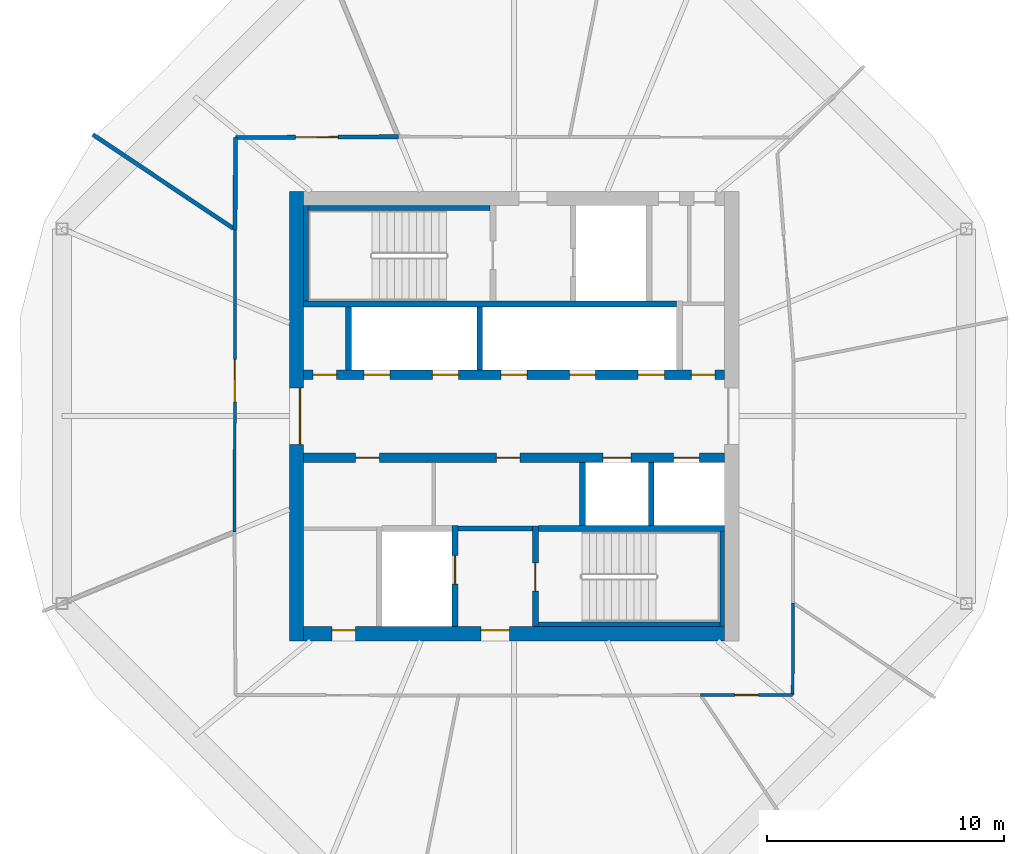
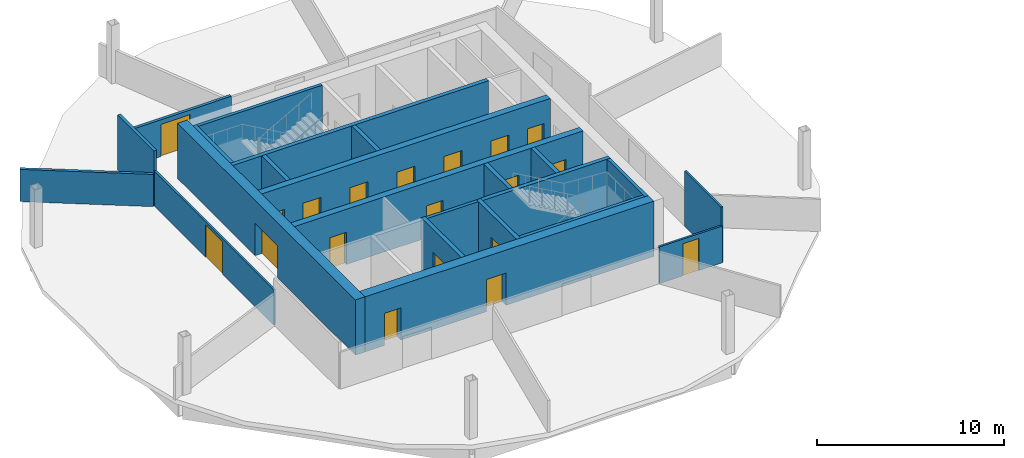
# One storey, part 5 of 10: 23 walls, 19 doors, 19 openings.
"""IFC4 building model written with IfcOpenShell, lengths in metres."""

from ifc_helpers import new_model, si_unit, direction, frame, frame_2d, origin, place, context, subcontext, project, spatial, rectangle, extrude, material, layer, layer_set, type_object, element, fill, save


model = new_model("IFC4")

# Units and contexts
model_context = context("Model", 3, precision=1e-05, world=origin(), true_north=direction((0.0, 1.0)))
body_context = subcontext(model_context, "Body", "Model", "MODEL_VIEW")
ifc_project = project(units=[si_unit("LENGTHUNIT", "METRE"), si_unit("AREAUNIT", "SQUARE_METRE"), si_unit("VOLUMEUNIT", "CUBIC_METRE"), si_unit("PLANEANGLEUNIT", "RADIAN"), si_unit("MASSUNIT", "GRAM", prefix="KILO")], contexts=[model_context])

# Site, building, storey
site_placement = place(None, origin())
site = spatial("IfcSite", under=ifc_project, at=site_placement, CompositionType="ELEMENT")
building_placement = place(site_placement, origin())
building = spatial("IfcBuilding", under=site, at=building_placement, Name="Ogive Gate Towers", CompositionType="ELEMENT")
storey_placement = place(building_placement, frame((0.0, 0.0, 212.39990234375)))
storey = spatial("IfcBuildingStorey", under=building, at=storey_placement, Name="L51", CompositionType="ELEMENT", Elevation=212.39990234375)

# Wall
ifc_material_1 = material(Name="Gypsum board acoustic partition")
ifc_layer_1 = layer(ifc_material_1, 0.175048828125)
ifc_layer_set_1 = layer_set([ifc_layer_1], Name="Acoustic partition 175")
wall_type_1 = type_object("IfcWallType", Name="Acoustic partition 175", PredefinedType="PARTITIONING", material=ifc_layer_set_1)
wall_1_placement = place(storey_placement, frame((-53.81103515625, 11.9111328125, 0.0), z_axis=(0.0, 0.0, 1.0), x_axis=(0.831240288345, -0.555913287332, 0.0)))
element("IfcWall", 1, at=wall_1_placement, inside=storey, type_object=wall_type_1, Name="Partition T1-L51-005", PredefinedType="PARTITIONING", context=body_context, shape_type="SweptSolid", body=[
    extrude(rectangle(XDim=7.14892578125, YDim=0.175048828125, at=frame_2d((3.574462890625, 0.0))), origin(), (0.0, 0.0, 1.0), 2.10009765625),
])

# Wall, opening, door
wall_2_placement = place(storey_placement, frame((-40.89501953125, 11.8173828125, 0.0), z_axis=(0.0, 0.0, 1.0), x_axis=(-0.99998528317, -0.005425259683, 0.0)))
wall_2 = element("IfcWall", 2, at=wall_2_placement, inside=storey, type_object=wall_type_1, Name="Partition T1-L51-014", PredefinedType="PARTITIONING", context=body_context, shape_type="SweptSolid", body=[
    extrude(rectangle(XDim=6.885009765625, YDim=0.175048828125, at=frame_2d((3.4423828125, 0.0))), origin(), (0.0, 0.0, 1.0), 2.400146484375),
])
opening_1_placement = place(wall_2_placement, frame((2.54296875, 0.0, 0.0)))
opening_1 = element("IfcOpeningElement", 3, at=opening_1_placement, cuts=wall_2, Name="Opening T1-L51-D05", PredefinedType="OPENING", context=body_context, shape_type="SweptSolid", body=[
    extrude(rectangle(XDim=1.800048828125, YDim=2.10009765625, at=frame_2d((0.89990234375, 1.050048828125))), frame((0.0, 0.09765625, 0.0), z_axis=(0.0, -1.0, 0.0), x_axis=(1.0, 0.0, 0.0)), (0.0, 0.0, 1.0), 0.195068359375),
])
ifc_material_2 = material(Name="Timber door", Category="wood")
door_type_1 = type_object("IfcDoorType", Name="Door pair 1800", OperationType="NOTDEFINED", PredefinedType="DOOR", material=ifc_material_2)
door_1_placement = place(opening_1_placement, origin())
door_1 = element("IfcDoor", 4, at=door_1_placement, inside=storey, type_object=door_type_1, Name="Door T1-L51-D05", OperationType="DOUBLE_DOOR_DOUBLE_SWING", OverallHeight=2.10009765625, OverallWidth=1.800048828125, PredefinedType="DOOR", context=body_context, shape_type="SweptSolid", body=[
    extrude(rectangle(XDim=1.800048828125, YDim=2.10009765625, at=frame_2d((0.89990234375, 1.050048828125))), frame((0.0, 0.02490234375, 0.0), z_axis=(0.0, -1.0, 0.0), x_axis=(1.0, 0.0, 0.0)), (0.0, 0.0, 1.0), 0.050048828125),
])
fill(opening_1, door_1)

# Walls
wall_3_placement = place(storey_placement, frame((-47.780029296875, 11.780029296875, 0.0), z_axis=(0.0, 0.0, 1.0), x_axis=(-0.004077757816, -0.999991685911, 0.0)))
element("IfcWall", 5, at=wall_3_placement, inside=storey, type_object=wall_type_1, Name="Partition T1-L51-015", PredefinedType="PARTITIONING", context=body_context, shape_type="SweptSolid", body=[
    extrude(rectangle(XDim=3.8916015625, YDim=0.175048828125, at=frame_2d((1.94580078125, 0.0))), origin(), (0.0, 0.0, 1.0), 3.60009765625),
])
ifc_material_3 = material(Name="Masonry blockwork", Category="masonry")
ifc_layer_2 = layer(ifc_material_3, 0.199951171875)
ifc_layer_set_2 = layer_set([ifc_layer_2], Name="Blockwork wall 200 mm")
wall_type_2 = type_object("IfcWallType", Name="Blockwork wall 200 mm", PredefinedType="PARTITIONING", material=ifc_layer_set_2)
wall_4_placement = place(storey_placement, frame((-38.375, -4.75, 0.0), z_axis=(0.0, 0.0, 1.0), x_axis=(1.0, 0.0, 0.0)))
element("IfcWall", 6, at=wall_4_placement, inside=storey, type_object=wall_type_2, Name="T1 L51 Blockwork wall 200 mm", PredefinedType="PARTITIONING", context=body_context, shape_type="SweptSolid", body=[
    extrude(rectangle(XDim=3.14990234375, YDim=0.199951171875, at=frame_2d((1.574951171875, 0.0))), origin(), (0.0, 0.0, 1.0), 3.60009765625),
])

# Wall, openings, doors
ifc_material_4 = material(Name="Concrete C60/75", Category="concrete")
ifc_layer_3 = layer(ifc_material_4, 0.60009765625)
ifc_layer_set_3 = layer_set([ifc_layer_3], Name="Core wall 600 mm")
wall_type_3 = type_object("IfcWallType", Name="Core wall 600 mm", PredefinedType="SHEAR", material=ifc_layer_set_3)
wall_5_placement = place(storey_placement, frame((-44.89990234375, -9.199951171875, 0.0), z_axis=(0.0, 0.0, 1.0), x_axis=(1.0, 0.0, 0.0)))
wall_5 = element("IfcWall", 7, at=wall_5_placement, inside=storey, type_object=wall_type_3, Name="T1 L51 Core wall 600 mm", PredefinedType="SHEAR", context=body_context, shape_type="SweptSolid", body=[
    extrude(rectangle(XDim=17.7998046875, YDim=0.60009765625, at=frame_2d((8.89990234375, 0.0))), origin(), (0.0, 0.0, 1.0), 3.60009765625),
])
opening_2_placement = place(wall_5_placement, frame((7.5, 0.0, 0.0)))
opening_2 = element("IfcOpeningElement", 8, at=opening_2_placement, cuts=wall_5, Name="Opening KD-T1-L51-19", PredefinedType="OPENING", context=body_context, shape_type="SweptSolid", body=[
    extrude(rectangle(XDim=1.199951171875, YDim=2.10009765625, at=frame_2d((0.60009765625, 1.050048828125))), frame((0.0, 0.31005859375, 0.0), z_axis=(0.0, -1.0, 0.0), x_axis=(1.0, 0.0, 0.0)), (0.0, 0.0, 1.0), 0.6201171875),
])
opening_3_placement = place(wall_5_placement, frame((1.199951171875, 0.0, 0.0)))
opening_3 = element("IfcOpeningElement", 9, at=opening_3_placement, cuts=wall_5, Name="Opening KD-T1-L51-22", PredefinedType="OPENING", context=body_context, shape_type="SweptSolid", body=[
    extrude(rectangle(XDim=1.0, YDim=2.10009765625, at=frame_2d((0.5, 1.050048828125))), frame((0.0, 0.31005859375, 0.0), z_axis=(0.0, -1.0, 0.0), x_axis=(1.0, 0.0, 0.0)), (0.0, 0.0, 1.0), 0.6201171875),
])
door_type_2 = type_object("IfcDoorType", Name="Accessible WC door 1000 x 2100", OperationType="NOTDEFINED", PredefinedType="DOOR", material=ifc_material_2)
door_2_placement = place(opening_3_placement, origin())
door_2 = element("IfcDoor", 10, at=door_2_placement, inside=storey, type_object=door_type_2, Name="T1 L51 Core door", OperationType="SINGLE_SWING_LEFT", OverallHeight=2.10009765625, OverallWidth=1.0, PredefinedType="DOOR", context=body_context, shape_type="SweptSolid", body=[
    extrude(rectangle(XDim=1.0, YDim=2.10009765625, at=frame_2d((0.5, 1.050048828125))), frame((0.0, 0.1748046875, 0.0), z_axis=(0.0, -1.0, 0.0), x_axis=(1.0, 0.0, 0.0)), (0.0, 0.0, 1.0), 0.050048828125),
])
fill(opening_3, door_2)
ifc_material_5 = material(Name="Steel fire door", Category="steel")
door_type_3 = type_object("IfcDoorType", Name="Core door FD60S 1200 x 2100", OperationType="NOTDEFINED", PredefinedType="DOOR", material=ifc_material_5)
door_3_placement = place(opening_2_placement, origin())
door_3 = element("IfcDoor", 11, at=door_3_placement, inside=storey, type_object=door_type_3, Name="T1 L51 Fire-fighting lobby door", OperationType="SINGLE_SWING_RIGHT", OverallHeight=2.10009765625, OverallWidth=1.199951171875, PredefinedType="DOOR", context=body_context, shape_type="SweptSolid", body=[
    extrude(rectangle(XDim=1.199951171875, YDim=2.10009765625, at=frame_2d((0.60009765625, 1.050048828125))), frame((0.0, 0.1748046875, 0.0), z_axis=(0.0, -1.0, 0.0), x_axis=(1.0, 0.0, 0.0)), (0.0, 0.0, 1.0), 0.050048828125),
])
fill(opening_2, door_3)

# Wall, opening, door
wall_6_placement = place(storey_placement, frame((-45.199951171875, -9.5, 0.0), z_axis=(0.0, 0.0, 1.0), x_axis=(0.0, 1.0, 0.0)))
wall_6 = element("IfcWall", 12, at=wall_6_placement, inside=storey, type_object=wall_type_3, Name="T1 L51 Core wall 600 mm", PredefinedType="SHEAR", context=body_context, shape_type="SweptSolid", body=[
    extrude(rectangle(XDim=19.0, YDim=0.60009765625, at=frame_2d((9.5, 0.0))), origin(), (0.0, 0.0, 1.0), 3.60009765625),
])
opening_4_placement = place(wall_6_placement, frame((8.300048828125, 0.0, 0.0)))
opening_4 = element("IfcOpeningElement", 13, at=opening_4_placement, cuts=wall_6, Name="Opening KD-T1-L51-01", PredefinedType="OPENING", context=body_context, shape_type="SweptSolid", body=[
    extrude(rectangle(XDim=2.39990234375, YDim=2.10009765625, at=frame_2d((1.199951171875, 1.050048828125))), frame((0.0, 0.31005859375, 0.0), z_axis=(0.0, -1.0, 0.0), x_axis=(1.0, 0.0, 0.0)), (0.0, 0.0, 1.0), 0.6201171875),
])
door_type_4 = type_object("IfcDoorType", Name="Core double door FD60S 2400 x 2100", OperationType="DOUBLE_DOOR_SINGLE_SWING", PredefinedType="DOOR", material=ifc_material_5)
door_4_placement = place(opening_4_placement, origin())
door_4 = element("IfcDoor", 14, at=door_4_placement, inside=storey, type_object=door_type_4, Name="T1 L51 Core door double", OperationType="DOUBLE_DOOR_SINGLE_SWING", OverallHeight=2.10009765625, OverallWidth=2.39990234375, PredefinedType="DOOR", context=body_context, shape_type="SweptSolid", body=[
    extrude(rectangle(XDim=2.39990234375, YDim=2.10009765625, at=frame_2d((1.199951171875, 1.050048828125))), frame((0.0, -0.125, 0.0), z_axis=(0.0, -1.0, 0.0), x_axis=(1.0, 0.0, 0.0)), (0.0, 0.0, 1.0), 0.050048828125),
])
fill(opening_4, door_4)

ifc_material_6 = material(Name="Gypsum board partition")
ifc_layer_4 = layer(ifc_material_6, 0.125)
ifc_layer_set_4 = layer_set([ifc_layer_4], Name="Partition 125")
wall_type_4 = type_object("IfcWallType", Name="Partition 125", PredefinedType="PARTITIONING", material=ifc_layer_set_4)
wall_7_placement = place(storey_placement, frame((-47.7958984375, 7.888427734375, 0.0), z_axis=(0.0, 0.0, 1.0), x_axis=(-0.001680637798, -0.999998587727, 0.0)))
wall_7 = element("IfcWall", 15, at=wall_7_placement, inside=storey, type_object=wall_type_4, Name="Partition T1-L51-016", PredefinedType="PARTITIONING", context=body_context, shape_type="SweptSolid", body=[
    extrude(rectangle(XDim=12.783447265625, YDim=0.125, at=frame_2d((6.3916015625, 0.0))), origin(), (0.0, 0.0, 1.0), 2.300048828125),
])
opening_5_placement = place(wall_7_placement, frame((5.491943359375, 0.0, 0.0)))
opening_5 = element("IfcOpeningElement", 16, at=opening_5_placement, cuts=wall_7, Name="Opening T1-L51-D06", PredefinedType="OPENING", context=body_context, shape_type="SweptSolid", body=[
    extrude(rectangle(XDim=1.800048828125, YDim=2.10009765625, at=frame_2d((0.89990234375, 1.050048828125))), frame((0.0, 0.072509765625, 0.0), z_axis=(0.0, -1.0, 0.0), x_axis=(1.0, 0.0, 0.0)), (0.0, 0.0, 1.0), 0.14501953125),
])
door_5_placement = place(opening_5_placement, origin())
door_5 = element("IfcDoor", 17, at=door_5_placement, inside=storey, type_object=door_type_1, Name="Door T1-L51-D06", OperationType="DOUBLE_DOOR_DOUBLE_SWING", OverallHeight=2.10009765625, OverallWidth=1.800048828125, PredefinedType="DOOR", context=body_context, shape_type="SweptSolid", body=[
    extrude(rectangle(XDim=1.800048828125, YDim=2.10009765625, at=frame_2d((0.89990234375, 1.050048828125))), frame((0.0, 0.02490234375, 0.0), z_axis=(0.0, -1.0, 0.0), x_axis=(1.0, 0.0, 0.0)), (0.0, 0.0, 1.0), 0.050048828125),
])
fill(opening_5, door_5)

wall_8_placement = place(storey_placement, frame((-28.111572265625, -11.7958984375, 0.0), z_axis=(0.0, 0.0, 1.0), x_axis=(0.999991685911, 0.004077757816, 0.0)))
wall_8 = element("IfcWall", 18, at=wall_8_placement, inside=storey, type_object=wall_type_4, Name="Partition T1-L51-020", PredefinedType="PARTITIONING", context=body_context, shape_type="SweptSolid", body=[
    extrude(rectangle(XDim=3.8916015625, YDim=0.125, at=frame_2d((1.94580078125, 0.0))), origin(), (0.0, 0.0, 1.0), 2.400146484375),
])
opening_6_placement = place(wall_8_placement, frame((1.446044921875, 0.0, 0.0)))
opening_6 = element("IfcOpeningElement", 19, at=opening_6_placement, cuts=wall_8, Name="Opening T1-L51-D09", PredefinedType="OPENING", context=body_context, shape_type="SweptSolid", body=[
    extrude(rectangle(XDim=1.0, YDim=2.10009765625, at=frame_2d((0.5, 1.050048828125))), frame((0.0, 0.072509765625, 0.0), z_axis=(0.0, -1.0, 0.0), x_axis=(1.0, 0.0, 0.0)), (0.0, 0.0, 1.0), 0.14501953125),
])
door_type_5 = type_object("IfcDoorType", Name="Door 1000", OperationType="NOTDEFINED", PredefinedType="DOOR", material=ifc_material_2)
door_6_placement = place(opening_6_placement, origin())
door_6 = element("IfcDoor", 20, at=door_6_placement, inside=storey, type_object=door_type_5, Name="Door T1-L51-D09", OperationType="SINGLE_SWING_LEFT", OverallHeight=2.10009765625, OverallWidth=1.0, PredefinedType="DOOR", context=body_context, shape_type="SweptSolid", body=[
    extrude(rectangle(XDim=1.0, YDim=2.10009765625, at=frame_2d((0.5, 1.050048828125))), frame((0.0, 0.02490234375, 0.0), z_axis=(0.0, -1.0, 0.0), x_axis=(1.0, 0.0, 0.0)), (0.0, 0.0, 1.0), 0.050048828125),
])
fill(opening_6, door_6)

# Walls
wall_9_placement = place(storey_placement, frame((-24.219970703125, -11.780029296875, 0.0), z_axis=(0.0, 0.0, 1.0), x_axis=(0.004077757816, 0.999991685911, 0.0)))
element("IfcWall", 21, at=wall_9_placement, inside=storey, type_object=wall_type_4, Name="Partition T1-L51-021", PredefinedType="PARTITIONING", context=body_context, shape_type="SweptSolid", body=[
    extrude(rectangle(XDim=3.8916015625, YDim=0.125, at=frame_2d((1.94580078125, 0.0))), origin(), (0.0, 0.0, 1.0), 3.60009765625),
])
ifc_layer_5 = layer(ifc_material_4, 0.25)
ifc_layer_set_5 = layer_set([ifc_layer_5], Name="Shaft wall 250 mm")
wall_type_5 = type_object("IfcWallType", Name="Shaft wall 250 mm", PredefinedType="SHEAR", material=ifc_layer_set_5)
wall_10_placement = place(storey_placement, frame((-34.97509765625, -4.75, 0.0), z_axis=(0.0, 0.0, 1.0), x_axis=(1.0, 0.0, 0.0)))
element("IfcWall", 22, at=wall_10_placement, inside=storey, type_object=wall_type_5, Name="T1 L51 Shaft wall 250 mm", PredefinedType="SHEAR", context=body_context, shape_type="SweptSolid", body=[
    extrude(rectangle(XDim=7.875, YDim=0.25, at=frame_2d((3.9375, 0.0))), origin(), (0.0, 0.0, 1.0), 3.60009765625),
])
wall_11_placement = place(storey_placement, frame((-44.89990234375, 4.75, 0.0), z_axis=(0.0, 0.0, 1.0), x_axis=(1.0, 0.0, 0.0)))
element("IfcWall", 23, at=wall_11_placement, inside=storey, type_object=wall_type_5, Name="T1 L51 Shaft wall 250 mm", PredefinedType="SHEAR", context=body_context, shape_type="SweptSolid", body=[
    extrude(rectangle(XDim=15.77490234375, YDim=0.25, at=frame_2d((7.887451171875, 0.0))), origin(), (0.0, 0.0, 1.0), 3.60009765625),
])
wall_12_placement = place(storey_placement, frame((-43.0, 1.949951171875, 0.0), z_axis=(0.0, 0.0, 1.0), x_axis=(0.0, 1.0, 0.0)))
element("IfcWall", 24, at=wall_12_placement, inside=storey, type_object=wall_type_5, Name="T1 L51 Shaft wall 250 mm", PredefinedType="SHEAR", context=body_context, shape_type="SweptSolid", body=[
    extrude(rectangle(XDim=2.675048828125, YDim=0.25, at=frame_2d((1.33740234375, 0.0))), origin(), (0.0, 0.0, 1.0), 3.60009765625),
])

# Wall, opening, door
wall_13_placement = place(storey_placement, frame((-38.5, -8.89990234375, 0.0), z_axis=(0.0, 0.0, 1.0), x_axis=(0.0, 1.0, 0.0)))
wall_13 = element("IfcWall", 25, at=wall_13_placement, inside=storey, type_object=wall_type_5, Name="T1 L51 Shaft wall 250 mm", PredefinedType="SHEAR", context=body_context, shape_type="SweptSolid", body=[
    extrude(rectangle(XDim=4.27490234375, YDim=0.25, at=frame_2d((2.137451171875, 0.0))), origin(), (0.0, 0.0, 1.0), 3.60009765625),
])
opening_7_placement = place(wall_13_placement, frame((1.800048828125, 0.0, 0.0)))
opening_7 = element("IfcOpeningElement", 26, at=opening_7_placement, cuts=wall_13, Name="Opening LD-T1-L51-13", PredefinedType="OPENING", context=body_context, shape_type="SweptSolid", body=[
    extrude(rectangle(XDim=1.199951171875, YDim=2.10009765625, at=frame_2d((0.60009765625, 1.050048828125))), frame((0.0, 0.135009765625, 0.0), z_axis=(0.0, -1.0, 0.0), x_axis=(1.0, 0.0, 0.0)), (0.0, 0.0, 1.0), 0.27001953125),
])
ifc_material_7 = material(Name="Stainless steel landing door", Category="steel")
door_type_6 = type_object("IfcDoorType", Name="Landing door 1200 x 2100", OperationType="SLIDING_TO_LEFT", PredefinedType="DOOR", material=ifc_material_7)
door_7_placement = place(opening_7_placement, origin())
door_7 = element("IfcDoor", 27, at=door_7_placement, inside=storey, type_object=door_type_6, Name="T1 L51 Lift landing door FF2", OperationType="SLIDING_TO_LEFT", OverallHeight=2.10009765625, OverallWidth=1.199951171875, PredefinedType="DOOR", context=body_context, shape_type="SweptSolid", body=[
    extrude(rectangle(XDim=1.199951171875, YDim=2.10009765625, at=frame_2d((0.60009765625, 1.050048828125))), frame((0.0, 0.02490234375, 0.0), z_axis=(0.0, -1.0, 0.0), x_axis=(1.0, 0.0, 0.0)), (0.0, 0.0, 1.0), 0.050048828125),
])
fill(opening_7, door_7)

# Wall
wall_14_placement = place(storey_placement, frame((-37.449951171875, 1.949951171875, 0.0), z_axis=(0.0, 0.0, 1.0), x_axis=(0.0, 1.0, 0.0)))
element("IfcWall", 28, at=wall_14_placement, inside=storey, type_object=wall_type_5, Name="T1 L51 Shaft wall 250 mm", PredefinedType="SHEAR", context=body_context, shape_type="SweptSolid", body=[
    extrude(rectangle(XDim=2.675048828125, YDim=0.25, at=frame_2d((1.33740234375, 0.0))), origin(), (0.0, 0.0, 1.0), 3.60009765625),
])

# Wall, opening, door
wall_15_placement = place(storey_placement, frame((-35.10009765625, -8.89990234375, 0.0), z_axis=(0.0, 0.0, 1.0), x_axis=(0.0, 1.0, 0.0)))
wall_15 = element("IfcWall", 29, at=wall_15_placement, inside=storey, type_object=wall_type_5, Name="T1 L51 Shaft wall 250 mm", PredefinedType="SHEAR", context=body_context, shape_type="SweptSolid", body=[
    extrude(rectangle(XDim=4.25, YDim=0.25, at=frame_2d((2.125, 0.0))), origin(), (0.0, 0.0, 1.0), 3.60009765625),
])
opening_8_placement = place(wall_15_placement, frame((1.5, 0.0, 0.0)))
opening_8 = element("IfcOpeningElement", 30, at=opening_8_placement, cuts=wall_15, Name="Opening KD-T1-L51-17", PredefinedType="OPENING", context=body_context, shape_type="SweptSolid", body=[
    extrude(rectangle(XDim=1.199951171875, YDim=2.10009765625, at=frame_2d((0.60009765625, 1.050048828125))), frame((0.0, 0.135009765625, 0.0), z_axis=(0.0, -1.0, 0.0), x_axis=(1.0, 0.0, 0.0)), (0.0, 0.0, 1.0), 0.27001953125),
])
door_8_placement = place(opening_8_placement, origin())
door_8 = element("IfcDoor", 31, at=door_8_placement, inside=storey, type_object=door_type_3, Name="T1 L51 Stair door", OperationType="SINGLE_SWING_RIGHT", OverallHeight=2.10009765625, OverallWidth=1.199951171875, PredefinedType="DOOR", context=body_context, shape_type="SweptSolid", body=[
    extrude(rectangle(XDim=1.199951171875, YDim=2.10009765625, at=frame_2d((0.60009765625, 1.050048828125))), frame((0.0, 0.02490234375, 0.0), z_axis=(0.0, -1.0, 0.0), x_axis=(1.0, 0.0, 0.0)), (0.0, 0.0, 1.0), 0.050048828125),
])
fill(opening_8, door_8)

# Walls
for number, where, z_axis, x_axis, name in (
    (32, (-33.10009765625, -4.625, 0.0), (0.0, 0.0, 1.0), (0.0, 1.0, 0.0), "T1 L51 Shaft wall 250 mm"),
    (33, (-30.199951171875, -4.625, 0.0), (0.0, 0.0, 1.0), (0.0, 1.0, 0.0), "T1 L51 Shaft wall 250 mm"),
):
    element("IfcWall", number, at=place(storey_placement, frame(where, z_axis=z_axis, x_axis=x_axis)), inside=storey, type_object=wall_type_5, Name=name, PredefinedType="SHEAR", context=body_context, shape_type="SweptSolid", body=[
        extrude(rectangle(XDim=2.675048828125, YDim=0.25, at=frame_2d((1.33740234375, 0.0))), origin(), (0.0, 0.0, 1.0), 3.60009765625),
    ])

# Wall, openings, doors
ifc_layer_6 = layer(ifc_material_4, 0.39990234375)
ifc_layer_set_6 = layer_set([ifc_layer_6], Name="Spine wall 400 mm")
wall_type_6 = type_object("IfcWallType", Name="Spine wall 400 mm", PredefinedType="SHEAR", material=ifc_layer_set_6)
wall_16_placement = place(storey_placement, frame((-44.89990234375, -1.75, 0.0), z_axis=(0.0, 0.0, 1.0), x_axis=(1.0, 0.0, 0.0)))
wall_16 = element("IfcWall", 34, at=wall_16_placement, inside=storey, type_object=wall_type_6, Name="T1 L51 Spine wall 400 mm", PredefinedType="SHEAR", context=body_context, shape_type="SweptSolid", body=[
    extrude(rectangle(XDim=17.7998046875, YDim=0.39990234375, at=frame_2d((8.89990234375, 0.0))), origin(), (0.0, 0.0, 1.0), 3.60009765625),
])
opening_9_placement = place(wall_16_placement, frame((12.64990234375, 0.0, 0.0)))
opening_9 = element("IfcOpeningElement", 35, at=opening_9_placement, cuts=wall_16, Name="Opening LD-T1-L51-10", PredefinedType="OPENING", context=body_context, shape_type="SweptSolid", body=[
    extrude(rectangle(XDim=1.199951171875, YDim=2.10009765625, at=frame_2d((0.60009765625, 1.050048828125))), frame((0.0, 0.2099609375, 0.0), z_axis=(0.0, -1.0, 0.0), x_axis=(1.0, 0.0, 0.0)), (0.0, 0.0, 1.0), 0.419921875),
])
opening_10_placement = place(wall_16_placement, frame((15.64990234375, 0.0, 0.0)))
opening_10 = element("IfcOpeningElement", 36, at=opening_10_placement, cuts=wall_16, Name="Opening LD-T1-L51-11", PredefinedType="OPENING", context=body_context, shape_type="SweptSolid", body=[
    extrude(rectangle(XDim=1.10009765625, YDim=2.10009765625, at=frame_2d((0.550048828125, 1.050048828125))), frame((0.0, 0.2099609375, 0.0), z_axis=(0.0, -1.0, 0.0), x_axis=(1.0, 0.0, 0.0)), (0.0, 0.0, 1.0), 0.419921875),
])
opening_11_placement = place(wall_16_placement, frame((2.199951171875, 0.0, 0.0)))
opening_11 = element("IfcOpeningElement", 37, at=opening_11_placement, cuts=wall_16, Name="Opening KD-T1-L51-14", PredefinedType="OPENING", context=body_context, shape_type="SweptSolid", body=[
    extrude(rectangle(XDim=1.0, YDim=2.10009765625, at=frame_2d((0.5, 1.050048828125))), frame((0.0, 0.2099609375, 0.0), z_axis=(0.0, -1.0, 0.0), x_axis=(1.0, 0.0, 0.0)), (0.0, 0.0, 1.0), 0.419921875),
])
opening_12_placement = place(wall_16_placement, frame((8.14990234375, 0.0, 0.0)))
opening_12 = element("IfcOpeningElement", 38, at=opening_12_placement, cuts=wall_16, Name="Opening KD-T1-L51-15", PredefinedType="OPENING", context=body_context, shape_type="SweptSolid", body=[
    extrude(rectangle(XDim=1.0, YDim=2.10009765625, at=frame_2d((0.5, 1.050048828125))), frame((0.0, 0.2099609375, 0.0), z_axis=(0.0, -1.0, 0.0), x_axis=(1.0, 0.0, 0.0)), (0.0, 0.0, 1.0), 0.419921875),
])
door_type_7 = type_object("IfcDoorType", Name="Core door FD60S 1000 x 2100", OperationType="NOTDEFINED", PredefinedType="DOOR", material=ifc_material_5)
door_9_placement = place(opening_11_placement, origin())
door_9 = element("IfcDoor", 39, at=door_9_placement, inside=storey, type_object=door_type_7, Name="T1 L51 Core door", OperationType="SINGLE_SWING_LEFT", OverallHeight=2.10009765625, OverallWidth=1.0, PredefinedType="DOOR", context=body_context, shape_type="SweptSolid", body=[
    extrude(rectangle(XDim=1.0, YDim=2.10009765625, at=frame_2d((0.5, 1.050048828125))), frame((0.0, 0.02490234375, 0.0), z_axis=(0.0, -1.0, 0.0), x_axis=(1.0, 0.0, 0.0)), (0.0, 0.0, 1.0), 0.050048828125),
])
fill(opening_11, door_9)
door_10_placement = place(opening_12_placement, origin())
door_10 = element("IfcDoor", 40, at=door_10_placement, inside=storey, type_object=door_type_7, Name="T1 L51 Core door", OperationType="SINGLE_SWING_RIGHT", OverallHeight=2.10009765625, OverallWidth=1.0, PredefinedType="DOOR", context=body_context, shape_type="SweptSolid", body=[
    extrude(rectangle(XDim=1.0, YDim=2.10009765625, at=frame_2d((0.5, 1.050048828125))), frame((0.0, 0.02490234375, 0.0), z_axis=(0.0, -1.0, 0.0), x_axis=(1.0, 0.0, 0.0)), (0.0, 0.0, 1.0), 0.050048828125),
])
fill(opening_12, door_10)
door_type_8 = type_object("IfcDoorType", Name="Landing door 1100 x 2100", OperationType="SLIDING_TO_LEFT", PredefinedType="DOOR", material=ifc_material_7)
door_11_placement = place(opening_10_placement, origin())
door_11 = element("IfcDoor", 41, at=door_11_placement, inside=storey, type_object=door_type_8, Name="T1 L51 Lift landing door B6", OperationType="SLIDING_TO_LEFT", OverallHeight=2.10009765625, OverallWidth=1.10009765625, PredefinedType="DOOR", context=body_context, shape_type="SweptSolid", body=[
    extrude(rectangle(XDim=1.10009765625, YDim=2.10009765625, at=frame_2d((0.550048828125, 1.050048828125))), frame((0.0, 0.02490234375, 0.0), z_axis=(0.0, -1.0, 0.0), x_axis=(1.0, 0.0, 0.0)), (0.0, 0.0, 1.0), 0.050048828125),
])
fill(opening_10, door_11)
door_12_placement = place(opening_9_placement, origin())
door_12 = element("IfcDoor", 42, at=door_12_placement, inside=storey, type_object=door_type_6, Name="T1 L51 Lift landing door SVC", OperationType="SLIDING_TO_LEFT", OverallHeight=2.10009765625, OverallWidth=1.199951171875, PredefinedType="DOOR", context=body_context, shape_type="SweptSolid", body=[
    extrude(rectangle(XDim=1.199951171875, YDim=2.10009765625, at=frame_2d((0.60009765625, 1.050048828125))), frame((0.0, 0.02490234375, 0.0), z_axis=(0.0, -1.0, 0.0), x_axis=(1.0, 0.0, 0.0)), (0.0, 0.0, 1.0), 0.050048828125),
])
fill(opening_9, door_12)

wall_17_placement = place(storey_placement, frame((-44.89990234375, 1.75, 0.0), z_axis=(0.0, 0.0, 1.0), x_axis=(1.0, 0.0, 0.0)))
wall_17 = element("IfcWall", 43, at=wall_17_placement, inside=storey, type_object=wall_type_6, Name="T1 L51 Spine wall 400 mm", PredefinedType="SHEAR", context=body_context, shape_type="SweptSolid", body=[
    extrude(rectangle(XDim=17.7998046875, YDim=0.39990234375, at=frame_2d((8.89990234375, 0.0))), origin(), (0.0, 0.0, 1.0), 3.60009765625),
])
opening_13_placement = place(wall_17_placement, frame((0.39990234375, 0.0, 0.0)))
opening_13 = element("IfcOpeningElement", 44, at=opening_13_placement, cuts=wall_17, Name="Opening KD-T1-L51-03", PredefinedType="OPENING", context=body_context, shape_type="SweptSolid", body=[
    extrude(rectangle(XDim=1.0, YDim=2.10009765625, at=frame_2d((0.5, 1.050048828125))), frame((0.0, 0.2099609375, 0.0), z_axis=(0.0, -1.0, 0.0), x_axis=(1.0, 0.0, 0.0)), (0.0, 0.0, 1.0), 0.419921875),
])
opening_14_placement = place(wall_17_placement, frame((2.550048828125, 0.0, 0.0)))
opening_14 = element("IfcOpeningElement", 45, at=opening_14_placement, cuts=wall_17, Name="Opening LD-T1-L51-04", PredefinedType="OPENING", context=body_context, shape_type="SweptSolid", body=[
    extrude(rectangle(XDim=1.10009765625, YDim=2.10009765625, at=frame_2d((0.550048828125, 1.050048828125))), frame((0.0, 0.2099609375, 0.0), z_axis=(0.0, -1.0, 0.0), x_axis=(1.0, 0.0, 0.0)), (0.0, 0.0, 1.0), 0.419921875),
])
opening_15_placement = place(wall_17_placement, frame((5.449951171875, 0.0, 0.0)))
opening_15 = element("IfcOpeningElement", 46, at=opening_15_placement, cuts=wall_17, Name="Opening LD-T1-L51-05", PredefinedType="OPENING", context=body_context, shape_type="SweptSolid", body=[
    extrude(rectangle(XDim=1.10009765625, YDim=2.10009765625, at=frame_2d((0.550048828125, 1.050048828125))), frame((0.0, 0.2099609375, 0.0), z_axis=(0.0, -1.0, 0.0), x_axis=(1.0, 0.0, 0.0)), (0.0, 0.0, 1.0), 0.419921875),
])
opening_16_placement = place(wall_17_placement, frame((8.35009765625, 0.0, 0.0)))
opening_16 = element("IfcOpeningElement", 47, at=opening_16_placement, cuts=wall_17, Name="Opening LD-T1-L51-06", PredefinedType="OPENING", context=body_context, shape_type="SweptSolid", body=[
    extrude(rectangle(XDim=1.10009765625, YDim=2.10009765625, at=frame_2d((0.550048828125, 1.050048828125))), frame((0.0, 0.2099609375, 0.0), z_axis=(0.0, -1.0, 0.0), x_axis=(1.0, 0.0, 0.0)), (0.0, 0.0, 1.0), 0.419921875),
])
opening_17_placement = place(wall_17_placement, frame((11.25, 0.0, 0.0)))
opening_17 = element("IfcOpeningElement", 48, at=opening_17_placement, cuts=wall_17, Name="Opening LD-T1-L51-07", PredefinedType="OPENING", context=body_context, shape_type="SweptSolid", body=[
    extrude(rectangle(XDim=1.10009765625, YDim=2.10009765625, at=frame_2d((0.550048828125, 1.050048828125))), frame((0.0, 0.2099609375, 0.0), z_axis=(0.0, -1.0, 0.0), x_axis=(1.0, 0.0, 0.0)), (0.0, 0.0, 1.0), 0.419921875),
])
opening_18_placement = place(wall_17_placement, frame((14.14990234375, 0.0, 0.0)))
opening_18 = element("IfcOpeningElement", 49, at=opening_18_placement, cuts=wall_17, Name="Opening LD-T1-L51-08", PredefinedType="OPENING", context=body_context, shape_type="SweptSolid", body=[
    extrude(rectangle(XDim=1.10009765625, YDim=2.10009765625, at=frame_2d((0.550048828125, 1.050048828125))), frame((0.0, 0.2099609375, 0.0), z_axis=(0.0, -1.0, 0.0), x_axis=(1.0, 0.0, 0.0)), (0.0, 0.0, 1.0), 0.419921875),
])
opening_19_placement = place(wall_17_placement, frame((16.39990234375, 0.0, 0.0)))
opening_19 = element("IfcOpeningElement", 50, at=opening_19_placement, cuts=wall_17, Name="Opening KD-T1-L51-09", PredefinedType="OPENING", context=body_context, shape_type="SweptSolid", body=[
    extrude(rectangle(XDim=1.0, YDim=2.10009765625, at=frame_2d((0.5, 1.050048828125))), frame((0.0, 0.2099609375, 0.0), z_axis=(0.0, -1.0, 0.0), x_axis=(1.0, 0.0, 0.0)), (0.0, 0.0, 1.0), 0.419921875),
])
door_13_placement = place(opening_13_placement, origin())
door_13 = element("IfcDoor", 51, at=door_13_placement, inside=storey, type_object=door_type_7, Name="T1 L51 Core door", OperationType="SINGLE_SWING_RIGHT", OverallHeight=2.10009765625, OverallWidth=1.0, PredefinedType="DOOR", context=body_context, shape_type="SweptSolid", body=[
    extrude(rectangle(XDim=1.0, YDim=2.10009765625, at=frame_2d((0.5, 1.050048828125))), frame((0.0, 0.02490234375, 0.0), z_axis=(0.0, -1.0, 0.0), x_axis=(1.0, 0.0, 0.0)), (0.0, 0.0, 1.0), 0.050048828125),
])
fill(opening_13, door_13)
door_14_placement = place(opening_19_placement, origin())
door_14 = element("IfcDoor", 52, at=door_14_placement, inside=storey, type_object=door_type_7, Name="T1 L51 Core door", OperationType="SINGLE_SWING_RIGHT", OverallHeight=2.10009765625, OverallWidth=1.0, PredefinedType="DOOR", context=body_context, shape_type="SweptSolid", body=[
    extrude(rectangle(XDim=1.0, YDim=2.10009765625, at=frame_2d((0.5, 1.050048828125))), frame((0.0, 0.02490234375, 0.0), z_axis=(0.0, -1.0, 0.0), x_axis=(1.0, 0.0, 0.0)), (0.0, 0.0, 1.0), 0.050048828125),
])
fill(opening_19, door_14)
door_15_placement = place(opening_14_placement, origin())
door_15 = element("IfcDoor", 53, at=door_15_placement, inside=storey, type_object=door_type_8, Name="T1 L51 Lift landing door B1", OperationType="SLIDING_TO_LEFT", OverallHeight=2.10009765625, OverallWidth=1.10009765625, PredefinedType="DOOR", context=body_context, shape_type="SweptSolid", body=[
    extrude(rectangle(XDim=1.10009765625, YDim=2.10009765625, at=frame_2d((0.550048828125, 1.050048828125))), frame((0.0, 0.02490234375, 0.0), z_axis=(0.0, -1.0, 0.0), x_axis=(1.0, 0.0, 0.0)), (0.0, 0.0, 1.0), 0.050048828125),
])
fill(opening_14, door_15)
door_16_placement = place(opening_15_placement, origin())
door_16 = element("IfcDoor", 54, at=door_16_placement, inside=storey, type_object=door_type_8, Name="T1 L51 Lift landing door B2", OperationType="SLIDING_TO_LEFT", OverallHeight=2.10009765625, OverallWidth=1.10009765625, PredefinedType="DOOR", context=body_context, shape_type="SweptSolid", body=[
    extrude(rectangle(XDim=1.10009765625, YDim=2.10009765625, at=frame_2d((0.550048828125, 1.050048828125))), frame((0.0, 0.02490234375, 0.0), z_axis=(0.0, -1.0, 0.0), x_axis=(1.0, 0.0, 0.0)), (0.0, 0.0, 1.0), 0.050048828125),
])
fill(opening_15, door_16)
door_17_placement = place(opening_16_placement, origin())
door_17 = element("IfcDoor", 55, at=door_17_placement, inside=storey, type_object=door_type_8, Name="T1 L51 Lift landing door B3", OperationType="SLIDING_TO_LEFT", OverallHeight=2.10009765625, OverallWidth=1.10009765625, PredefinedType="DOOR", context=body_context, shape_type="SweptSolid", body=[
    extrude(rectangle(XDim=1.10009765625, YDim=2.10009765625, at=frame_2d((0.550048828125, 1.050048828125))), frame((0.0, 0.02490234375, 0.0), z_axis=(0.0, -1.0, 0.0), x_axis=(1.0, 0.0, 0.0)), (0.0, 0.0, 1.0), 0.050048828125),
])
fill(opening_16, door_17)
door_18_placement = place(opening_17_placement, origin())
door_18 = element("IfcDoor", 56, at=door_18_placement, inside=storey, type_object=door_type_8, Name="T1 L51 Lift landing door B4", OperationType="SLIDING_TO_LEFT", OverallHeight=2.10009765625, OverallWidth=1.10009765625, PredefinedType="DOOR", context=body_context, shape_type="SweptSolid", body=[
    extrude(rectangle(XDim=1.10009765625, YDim=2.10009765625, at=frame_2d((0.550048828125, 1.050048828125))), frame((0.0, 0.02490234375, 0.0), z_axis=(0.0, -1.0, 0.0), x_axis=(1.0, 0.0, 0.0)), (0.0, 0.0, 1.0), 0.050048828125),
])
fill(opening_17, door_18)
door_19_placement = place(opening_18_placement, origin())
door_19 = element("IfcDoor", 57, at=door_19_placement, inside=storey, type_object=door_type_8, Name="T1 L51 Lift landing door B5", OperationType="SLIDING_TO_LEFT", OverallHeight=2.10009765625, OverallWidth=1.10009765625, PredefinedType="DOOR", context=body_context, shape_type="SweptSolid", body=[
    extrude(rectangle(XDim=1.10009765625, YDim=2.10009765625, at=frame_2d((0.550048828125, 1.050048828125))), frame((0.0, 0.02490234375, 0.0), z_axis=(0.0, -1.0, 0.0), x_axis=(1.0, 0.0, 0.0)), (0.0, 0.0, 1.0), 0.050048828125),
])
fill(opening_18, door_19)

# Walls
ifc_layer_7 = layer(ifc_material_4, 0.199951171875)
ifc_layer_set_7 = layer_set([ifc_layer_7], Name="Stair wall 200 mm")
wall_type_7 = type_object("IfcWallType", Name="Stair wall 200 mm", PredefinedType="SHEAR", material=ifc_layer_set_7)
for number, where, z_axis, x_axis, name in (
    (58, (-34.97509765625, -8.800048828125, 0.0), (0.0, 0.0, 1.0), (1.0, 0.0, 0.0), "T1 L51 Stair wall 200 mm"),
    (59, (-44.699951171875, 8.800048828125, 0.0), (0.0, 0.0, 1.0), (1.0, 0.0, 0.0), "T1 L51 Stair wall 200 mm"),
):
    element("IfcWall", number, at=place(storey_placement, frame(where, z_axis=z_axis, x_axis=x_axis)), inside=storey, type_object=wall_type_7, Name=name, PredefinedType="SHEAR", context=body_context, shape_type="SweptSolid", body=[
        extrude(rectangle(XDim=7.675048828125, YDim=0.199951171875, at=frame_2d((3.83740234375, 0.0))), origin(), (0.0, 0.0, 1.0), 3.60009765625),
    ])
for number, where, z_axis, x_axis, name in (
    (60, (-44.800048828125, 4.875, 0.0), (0.0, 0.0, 1.0), (0.0, 1.0, 0.0), "T1 L51 Stair wall 200 mm"),
    (61, (-27.199951171875, -8.89990234375, 0.0), (0.0, 0.0, 1.0), (0.0, 1.0, 0.0), "T1 L51 Stair wall 200 mm"),
):
    element("IfcWall", number, at=place(storey_placement, frame(where, z_axis=z_axis, x_axis=x_axis)), inside=storey, type_object=wall_type_7, Name=name, PredefinedType="SHEAR", context=body_context, shape_type="SweptSolid", body=[
        extrude(rectangle(XDim=4.02490234375, YDim=0.199951171875, at=frame_2d((2.012451171875, 0.0))), origin(), (0.0, 0.0, 1.0), 3.60009765625),
    ])

save(model, "model.ifc")
